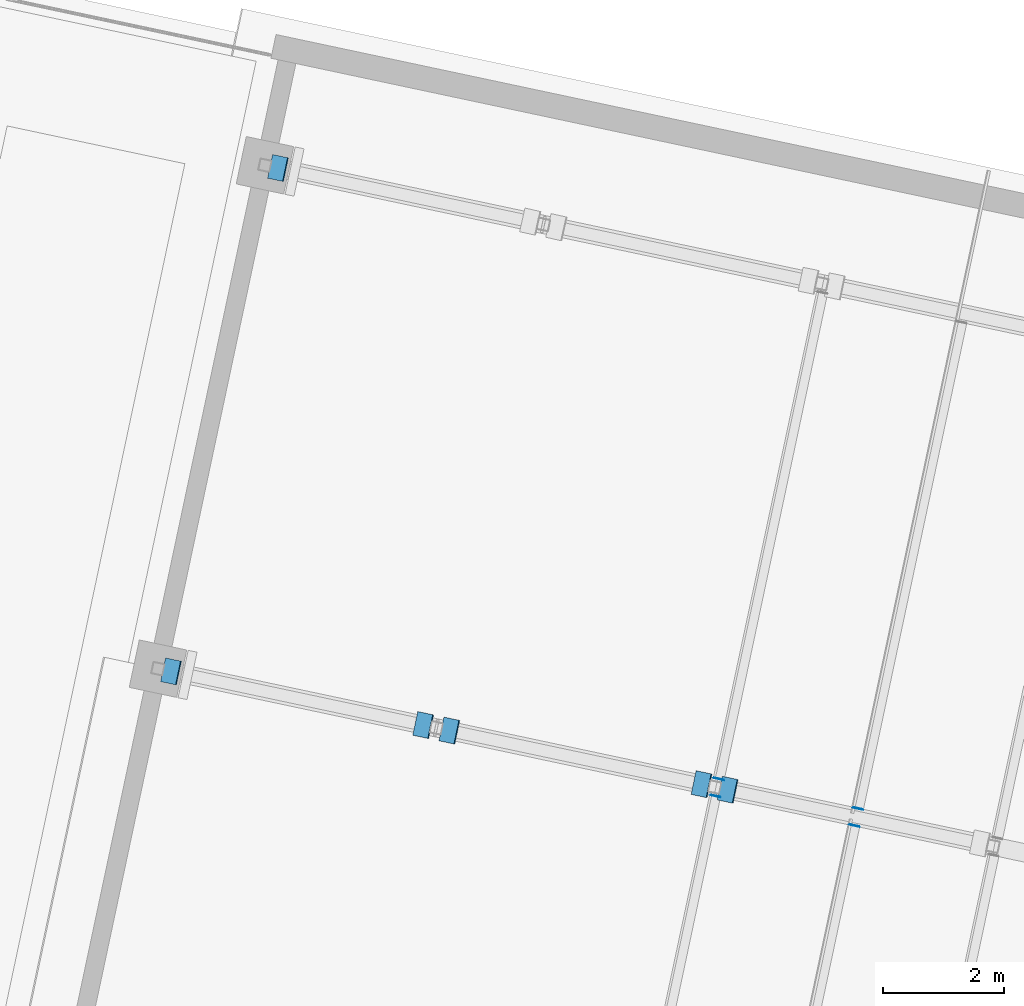
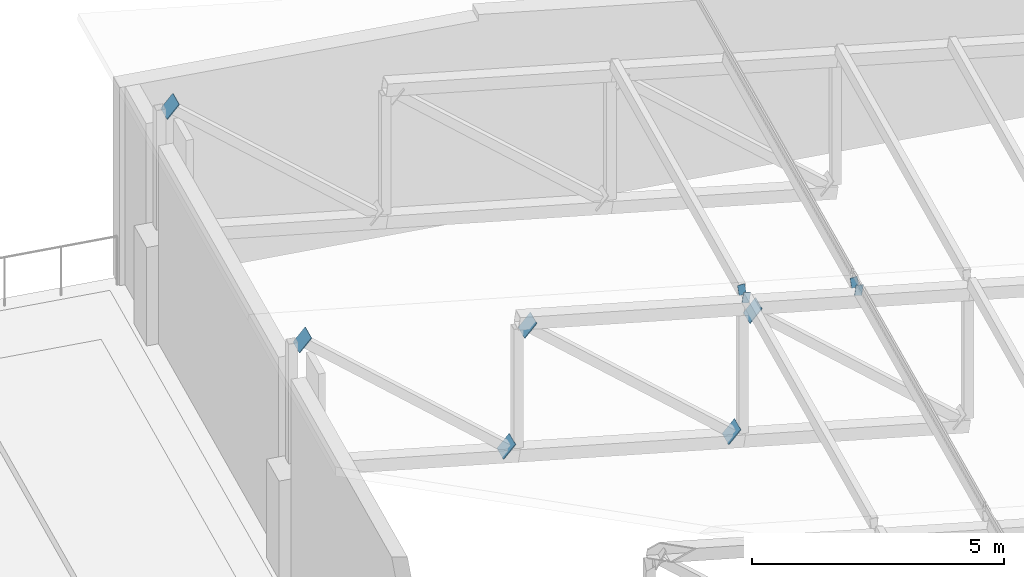
# One storey, part 165 of 196: 10 discrete accessories.
"""IFC4 building model written with IfcOpenShell, lengths in metres."""

from ifc_helpers import new_model, si_unit, direction, frame, origin, origin_2d, place, context, subcontext, project, spatial, rectangle, extrude, material, layer, layer_set, type_object, element, save


model = new_model("IFC4")

# Units and contexts
model_context = context("Model", 3, precision=1e-05, world=origin(), true_north=direction((0.0, 1.0)))
body_context = subcontext(model_context, "Body", "Model", "MODEL_VIEW")
ifc_project = project(units=[si_unit("LENGTHUNIT", "METRE"), si_unit("AREAUNIT", "SQUARE_METRE"), si_unit("VOLUMEUNIT", "CUBIC_METRE"), si_unit("PLANEANGLEUNIT", "RADIAN"), si_unit("MASSUNIT", "GRAM", prefix="KILO")], contexts=[model_context])

# Site, building, storey
site_placement = place(None, origin())
site = spatial("IfcSite", under=ifc_project, at=site_placement, CompositionType="ELEMENT")
building_placement = place(site_placement, origin())
building = spatial("IfcBuilding", under=site, at=building_placement, Name="Okhra Congress Centre", CompositionType="ELEMENT")
storey_placement = place(building_placement, frame((0.0, 0.0, 12.0)))
storey = spatial("IfcBuildingStorey", under=building, at=storey_placement, Name="L02", CompositionType="ELEMENT", Elevation=12.0)

# Discrete accessories
ifc_material = material(Name="Steel S355J2", Category="steel")
ifc_layer_1 = layer(ifc_material, 0.02001953125)
ifc_layer_set_1 = layer_set([ifc_layer_1], Name="Brace end connection plate 20 mm S355")
discrete_accessory_type_1 = type_object("IfcDiscreteAccessoryType", Name="Brace end connection plate 20 mm S355", PredefinedType="BRACKET", material=ifc_layer_set_1)
for number, where, z_axis, x_axis, name in (
    (1, (207.2421875, 128.8837890625, 5.398193359375), (-0.756491435081, 0.158619171872, 0.634476687487), (-0.205214844297, -0.978716949726, 0.0), "Brace end connection plate"),
    (2, (211.392333984375, 128.00146484375, 1.912841796875), (0.756491435081, -0.158619171872, -0.634476687487), (0.205214844297, 0.978716949726, 0.0), "Brace end connection plate"),
    (3, (211.839599609375, 127.906494140625, 4.737548828125), (-0.756491435081, 0.158619171872, 0.634476687487), (-0.205214844297, -0.978716949726, 0.0), "Brace end connection plate"),
    (4, (215.98974609375, 127.0244140625, 1.25244140625), (0.756491435081, -0.158619171872, -0.634476687487), (0.205214844297, 0.978716949726, 0.0), "Brace end connection plate"),
    (5, (216.436767578125, 126.929443359375, 4.076904296875), (-0.756491435081, 0.158619171872, 0.634476687487), (-0.205214844297, -0.978716949726, 0.0), "Brace end connection plate"),
    (6, (209.009521484375, 137.197998046875, 5.398193359375), (-0.756491435081, 0.158619171872, 0.634476687487), (-0.205214844297, -0.978716949726, 0.0), "Brace end connection plate"),
):
    element("IfcDiscreteAccessory", number, at=place(storey_placement, frame(where, z_axis=z_axis, x_axis=x_axis)), inside=storey, type_object=discrete_accessory_type_1, Name=name, PredefinedType="BRACKET", context=body_context, shape_type="SweptSolid", body=[
        extrude(rectangle(XDim=0.39990234375, YDim=0.39990234375, at=origin_2d()), origin(), (0.0, 0.0, 1.0), 0.02001953125),
    ])
ifc_layer_2 = layer(ifc_material, 0.011962890625)
ifc_layer_set_2 = layer_set([ifc_layer_2], Name="Hollow section end cap 12 mm S355")
discrete_accessory_type_2 = type_object("IfcDiscreteAccessoryType", Name="Hollow section end cap 12 mm S355", PredefinedType="BRACKET", material=ifc_layer_set_2)
discrete_accessory_1_placement = place(storey_placement, frame((216.219482421875, 126.822265625, 4.537109375), z_axis=(0.203954254112, 0.978980419738, 0.0), x_axis=(-0.969453049589, 0.201969385331, 0.13917310096)))
element("IfcDiscreteAccessory", 7, at=discrete_accessory_1_placement, inside=storey, type_object=discrete_accessory_type_2, Name="Hollow section end cap", PredefinedType="BRACKET", context=body_context, shape_type="SweptSolid", body=[
    extrude(rectangle(XDim=0.14990234375, YDim=0.25, at=origin_2d()), origin(), (0.0, 0.0, 1.0), 0.011962890625),
])
discrete_accessory_2_placement = place(storey_placement, frame((218.51806640625, 126.33349609375, 4.206787109375), z_axis=(0.219038342307, 0.975716252094, 0.0), x_axis=(-0.9662206486, 0.216906676216, 0.13917310096)))
element("IfcDiscreteAccessory", 8, at=discrete_accessory_2_placement, inside=storey, type_object=discrete_accessory_type_2, Name="Hollow section end cap", PredefinedType="BRACKET", context=body_context, shape_type="SweptSolid", body=[
    extrude(rectangle(XDim=0.14990234375, YDim=0.25, at=origin_2d()), origin(), (0.0, 0.0, 1.0), 0.01220703125),
])
for number, where, z_axis, x_axis, name in (
    (9, (216.281982421875, 127.11572265625, 4.537109375), (-0.223376156329, -0.974732318528, 0.0), (0.965246290609, -0.221202274931, 0.13917310096), "Hollow section end cap"),
    (10, (218.58056640625, 126.626953125, 4.206787109375), (-0.203954254112, -0.978980419738, 0.0), (0.969453049589, -0.201969385331, 0.13917310096), "Hollow section end cap"),
):
    element("IfcDiscreteAccessory", number, at=place(storey_placement, frame(where, z_axis=z_axis, x_axis=x_axis)), inside=storey, type_object=discrete_accessory_type_2, Name=name, PredefinedType="BRACKET", context=body_context, shape_type="SweptSolid", body=[
        extrude(rectangle(XDim=0.14990234375, YDim=0.25, at=origin_2d()), origin(), (0.0, 0.0, 1.0), 0.011962890625),
    ])

save(model, "model.ifc")
